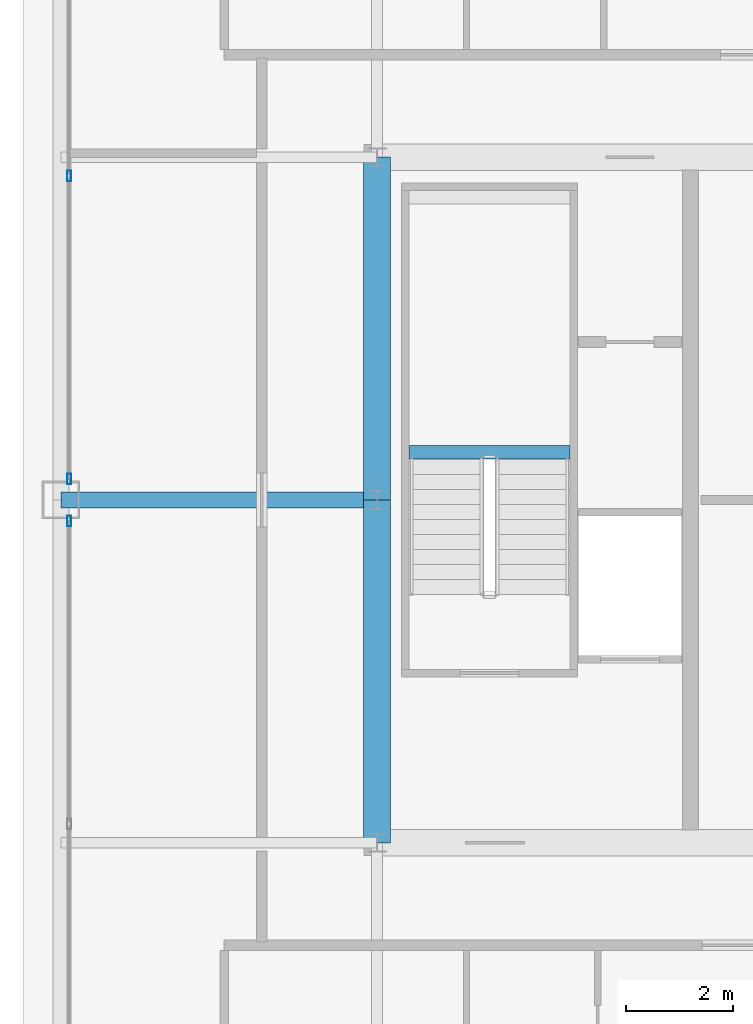
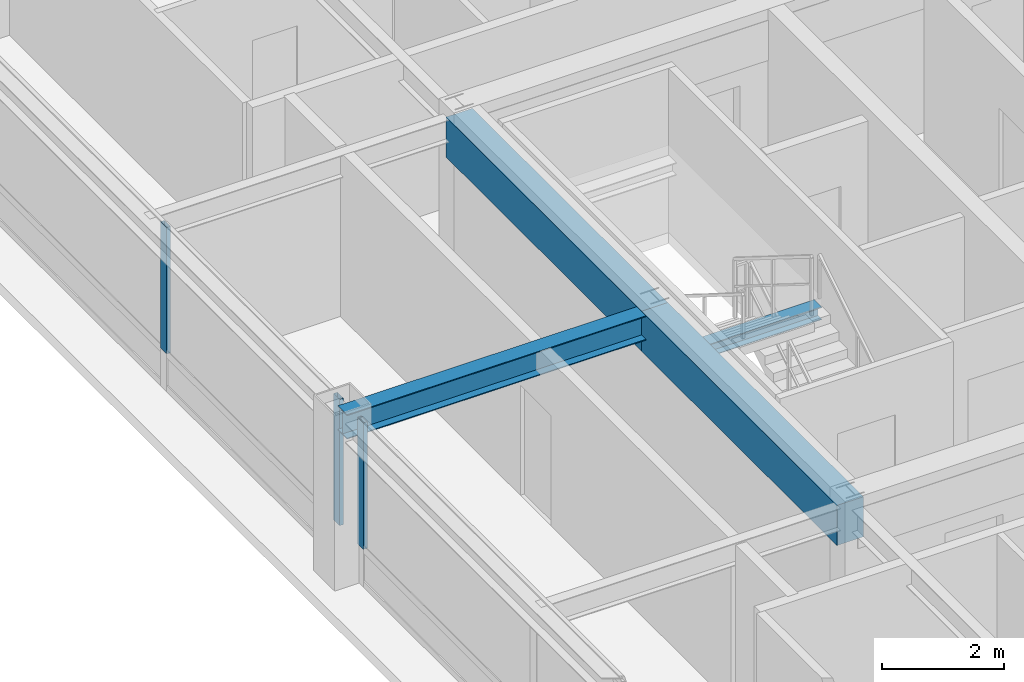
# One storey, part 11 of 35: 4 beams, 3 members, 2 elements without a shape of their own.
"""IFC4 building model written with IfcOpenShell, lengths in metres."""

from ifc_helpers import new_model, si_unit, direction, frame, origin, origin_2d, place, context, subcontext, project, spatial, rectangle, hollow_rectangle, i_section, extrude, source, transform, mapped, material, layer, layer_set, material_profile, profile_set, type_object, element, aggregate, save


model = new_model("IFC4")

# Units and contexts
model_context = context("Model", 3, precision=1e-05, world=origin(), true_north=direction((0.0, 1.0)))
body_context = subcontext(model_context, "Body", "Model", "MODEL_VIEW")
ifc_project = project(units=[si_unit("LENGTHUNIT", "METRE"), si_unit("AREAUNIT", "SQUARE_METRE"), si_unit("VOLUMEUNIT", "CUBIC_METRE"), si_unit("PLANEANGLEUNIT", "RADIAN"), si_unit("MASSUNIT", "GRAM", prefix="KILO"), si_unit("THERMODYNAMICTEMPERATUREUNIT", "KELVIN"), si_unit("POWERUNIT", "WATT")], contexts=[model_context])

# Site, building, storey
site_placement = place(None, origin())
site = spatial("IfcSite", under=ifc_project, at=site_placement, CompositionType="ELEMENT")
building_placement = place(site_placement, origin())
building = spatial("IfcBuilding", under=site, at=building_placement, Name="Yuzanri Waterfront Tower", CompositionType="ELEMENT")
storey_placement = place(building_placement, frame((0.0, 0.0, 299.60009765625)))
storey = spatial("IfcBuildingStorey", under=building, at=storey_placement, Name="L80", CompositionType="ELEMENT", Elevation=299.60009765625)

# Beams
ifc_material_1 = material(Name="Concrete C50", Category="concrete")
ifc_material_profile_1 = material_profile(ifc_material_1, rectangle(XDim=0.5, YDim=0.800048828125, at=origin_2d()), Name="RC 500x800")
ifc_profile_set_1 = profile_set([ifc_material_profile_1], Name="Concrete C50")
beam_type_1 = type_object("IfcBeamType", Name="Core Coupling Lintel Concrete C50 500x800", PredefinedType="LINTEL", material=ifc_profile_set_1)
shared_shape_1 = source(origin(), body_context, "Body", "SweptSolid", [
    extrude(rectangle(XDim=0.5, YDim=0.800048828125, at=origin_2d()), origin(), (0.0, 0.0, 1.0), 6.400146484375),
])
beam_1_placement = place(storey_placement, frame((23.800048828125, 19.39990234375, 2.8798828125), z_axis=(0.0, 1.0, 0.0), x_axis=(-1.0, 0.0, 0.0)))
element("IfcBeam", 1, at=beam_1_placement, inside=storey, type_object=beam_type_1, Name="L80 Core Tie Beam CW1", PredefinedType="LINTEL", context=body_context, shape_type="MappedRepresentation", body=[
    mapped(shared_shape_1, transform((0.0, 0.0, 0.0), scale=1.0)),
])
shared_shape_2 = source(origin(), body_context, "Body", "SweptSolid", [
    extrude(rectangle(XDim=0.5, YDim=0.800048828125, at=origin_2d()), origin(), (0.0, 0.0, 1.0), 6.39990234375),
])
beam_2_placement = place(storey_placement, frame((23.800048828125, 25.800048828125, 2.8798828125), z_axis=(0.0, 1.0, 0.0), x_axis=(-1.0, 0.0, 0.0)))
element("IfcBeam", 2, at=beam_2_placement, inside=storey, type_object=beam_type_1, Name="L80 Core Tie Beam CW2", PredefinedType="LINTEL", context=body_context, shape_type="MappedRepresentation", body=[
    mapped(shared_shape_2, transform((0.0, 0.0, 0.0), scale=1.0)),
])
ifc_material_2 = material(Name="Steel Q355B", Category="steel")
ifc_material_profile_2 = material_profile(ifc_material_2, i_section(OverallWidth=0.300048828125, OverallDepth=0.488037109375, WebThickness=0.010986328125, FlangeThickness=0.01806640625, at=origin_2d()), Name="HM 488x300x11x18")
ifc_profile_set_2 = profile_set([ifc_material_profile_2], Name="Steel Q355B")
beam_type_2 = type_object("IfcBeamType", Name="Primary Floor Girder Q355B HM 488x300", PredefinedType="BEAM", material=ifc_profile_set_2)
shared_shape_3 = source(origin(), body_context, "Body", "SweptSolid", [
    extrude(i_section(OverallWidth=0.300048828125, OverallDepth=0.488037109375, WebThickness=0.010986328125, FlangeThickness=0.01806640625, at=origin_2d()), origin(), (0.0, 0.0, 1.0), 5.900146484375),
])
beam_3_placement = place(storey_placement, frame((23.800048828125, 25.800048828125, 3.035888671875), z_axis=(-1.0, 0.0, 0.0), x_axis=(0.0, -1.0, 0.0)))
element("IfcBeam", 3, at=beam_3_placement, inside=storey, type_object=beam_type_2, Name="L80 West Grid Girder", PredefinedType="BEAM", context=body_context, shape_type="MappedRepresentation", body=[
    mapped(shared_shape_3, transform((0.0, 0.0, 0.0), scale=1.0)),
])

# Curtain wall, member
ifc_material_3 = material(Name="Anodized Architectural Bronze", Category="metal")
ifc_layer = layer(ifc_material_3, 0.159912109375)
ifc_layer_set = layer_set([ifc_layer], Name="Anodized Architectural Bronze")
curtain_wall_type = type_object("IfcCurtainWallType", Name="Anodized Bronze High-Rise Penthouse High-Wind Unitized Curtain Wall 6900", PredefinedType="NOTDEFINED", material=ifc_layer_set)
curtain_wall_1_placement = place(storey_placement, origin())
curtain_wall_1 = element("IfcCurtainWall", 4, at=curtain_wall_1_placement, inside=storey, type_object=curtain_wall_type, Name="L80 Curtain Wall CW-L80-WL", PredefinedType="NOTDEFINED")
ifc_material_4 = material(Name="Anodized Architectural Bronze", Category="metal")
ifc_material_profile_3 = material_profile(ifc_material_4, hollow_rectangle(XDim=0.074951171875, YDim=0.199951171875, WallThickness=0.00390625, at=origin_2d()), Name="CWM 75x200")
ifc_profile_set_3 = profile_set([ifc_material_profile_3], Name="Anodized Architectural Bronze")
member_type = type_object("IfcMemberType", Name="Anodized Bronze Primary Curtain-Wall Mullion 75x200", PredefinedType="MULLION", material=ifc_profile_set_3)
shared_shape_4 = source(origin(), body_context, "Body", "SweptSolid", [
    extrude(hollow_rectangle(XDim=0.074951171875, YDim=0.199951171875, WallThickness=0.00390625, at=origin_2d()), origin(), (0.0, 0.0, 1.0), 2.52392578125),
])
member_1_placement = place(storey_placement, frame((18.050048828125, 25.409912109375, 0.755859375), z_axis=(0.0, 0.0, 1.0), x_axis=(1.0, 0.0, 0.0)))
member_1 = element("IfcMember", 5, at=member_1_placement, type_object=member_type, Name="CW-L80-WL Upper Mullion 02", PredefinedType="MULLION", context=body_context, shape_type="MappedRepresentation", body=[
    mapped(shared_shape_4, transform((0.0, 0.0, 0.0), scale=1.0)),
])
aggregate(curtain_wall_1, [member_1])

# Curtain wall, members
curtain_wall_2_placement = place(storey_placement, origin())
curtain_wall_2 = element("IfcCurtainWall", 6, at=curtain_wall_2_placement, inside=storey, type_object=curtain_wall_type, Name="L80 Curtain Wall CW-L80-WR", PredefinedType="NOTDEFINED")
member_2_placement = place(storey_placement, frame((18.050048828125, 26.18994140625, 0.755859375), z_axis=(0.0, 0.0, 1.0), x_axis=(1.0, 0.0, 0.0)))
member_2 = element("IfcMember", 7, at=member_2_placement, type_object=member_type, Name="CW-L80-WR Upper Mullion 00", PredefinedType="MULLION", context=body_context, shape_type="MappedRepresentation", body=[
    mapped(shared_shape_4, transform((0.0, 0.0, 0.0), scale=1.0)),
])
member_3_placement = place(storey_placement, frame((18.050048828125, 31.85009765625, 0.755859375), z_axis=(0.0, 0.0, 1.0), x_axis=(1.0, 0.0, 0.0)))
member_3 = element("IfcMember", 8, at=member_3_placement, type_object=member_type, Name="CW-L80-WR Upper Mullion 01", PredefinedType="MULLION", context=body_context, shape_type="MappedRepresentation", body=[
    mapped(shared_shape_4, transform((0.0, 0.0, 0.0), scale=1.0)),
])
aggregate(curtain_wall_2, [member_2, member_3])

# Beam
ifc_material_5 = material(Name="Steel Q355B", Category="steel")
ifc_material_profile_4 = material_profile(ifc_material_5, i_section(OverallWidth=0.25, OverallDepth=0.25, WebThickness=0.009033203125, FlangeThickness=0.013916015625, at=origin_2d()), Name="HW 250x250x9x14")
ifc_profile_set_4 = profile_set([ifc_material_profile_4], Name="Steel Q355B")
beam_type_3 = type_object("IfcBeamType", Name="Stair Landing Support Beam Q355B HW 250x250", PredefinedType="BEAM", material=ifc_profile_set_4)
shared_shape_5 = source(origin(), body_context, "Body", "SweptSolid", [
    extrude(i_section(OverallWidth=0.25, OverallDepth=0.25, WebThickness=0.009033203125, FlangeThickness=0.013916015625, at=origin_2d()), origin(), (0.0, 0.0, 1.0), 3.0),
])
beam_4_placement = place(storey_placement, frame((24.39990234375, 26.68994140625, 1.4248046875), z_axis=(1.0, 0.0, 0.0), x_axis=(0.0, 1.0, 0.0)))
element("IfcBeam", 9, at=beam_4_placement, inside=storey, type_object=beam_type_3, Name="L80 Stair Landing Support Beam ST-01-L80-L1-1", PredefinedType="BEAM", context=body_context, shape_type="MappedRepresentation", body=[
    mapped(shared_shape_5, transform((0.0, 0.0, 0.0), scale=1.0)),
])

save(model, "model.ifc")
